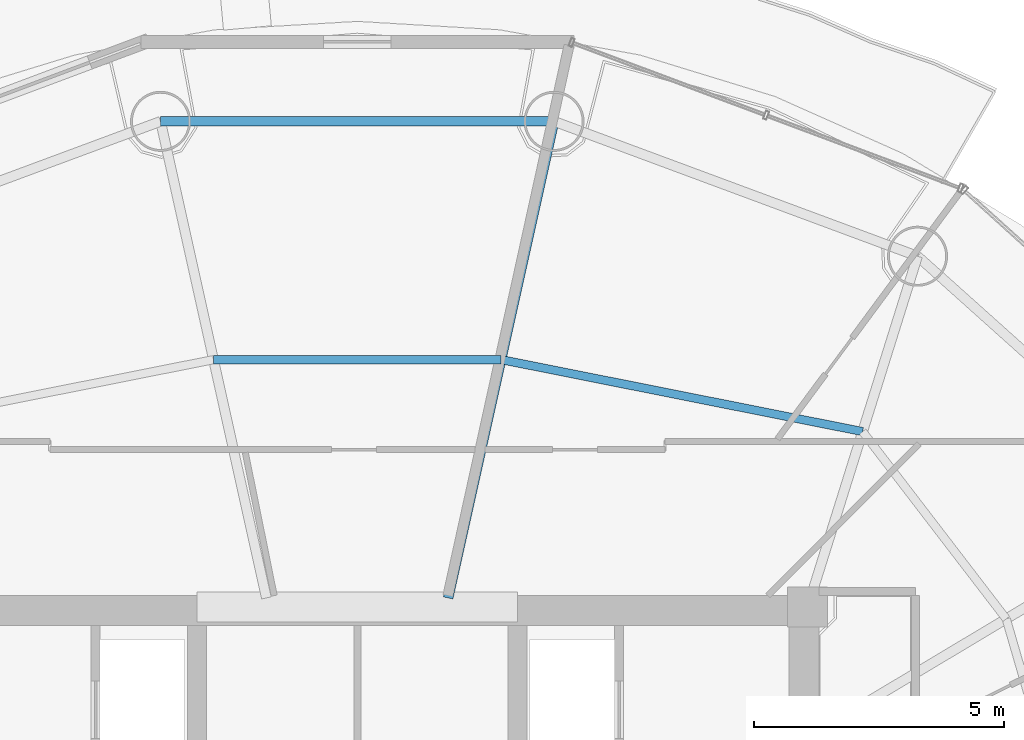
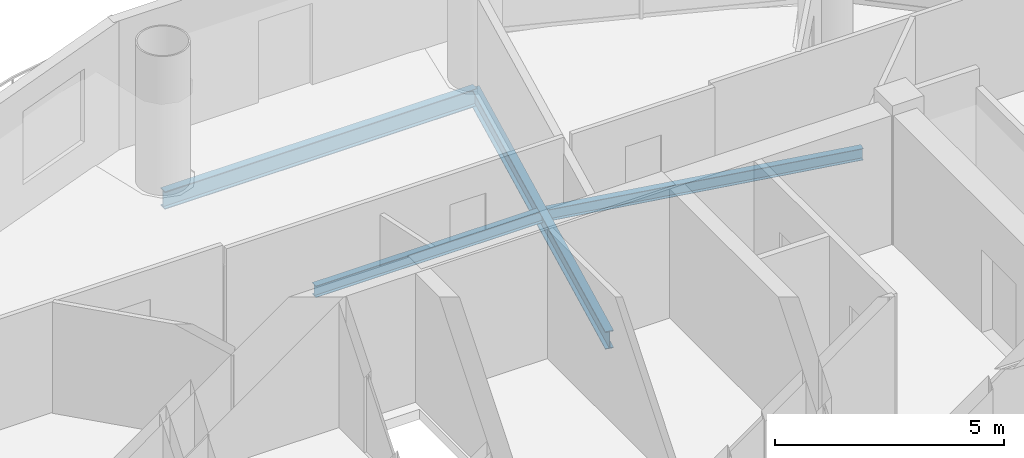
# One storey, part 16 of 26: 4 beams.
"""IFC4 building model written with IfcOpenShell, lengths in metres."""

import ifcopenshell
import ifcopenshell.guid

model = None  # the IFC model being written
_history = None  # IfcOwnerHistory: only IFC2X3 demands one
_inside = {}  # id of a spatial element -> (the spatial element, [elements in it])
_under = {}  # id of a project, library or spatial element -> (it, [spatial elements below it])
_declared = {}  # id of a project -> (the project, [libraries it declares])
_typed = {}  # id of a type object -> (the type object, [elements of that type])
_made_of = {}  # id of a material, layer set ... -> (it, [elements and type objects made of it])


def new_model(schema):
    """Start an empty IFC model of exactly this schema.

    Asked for "IFC4X3", IfcOpenShell would pick the latest addendum, in which some entities
    have other attributes; the version numbers below select the first issue.
    IFC2X3 requires an IfcOwnerHistory on every rooted entity: one is made here for all.
    """
    global model, _history
    if schema == "IFC4X3":
        model = ifcopenshell.file(schema_version=(4, 3, 0, 0))
    else:
        model = ifcopenshell.file(schema=schema)
    _inside.clear()
    _under.clear()
    _declared.clear()
    _typed.clear()
    _made_of.clear()
    _history = None
    if model.schema == "IFC2X3":
        org = make("IfcOrganization", Name="unknown")
        user = make(
            "IfcPersonAndOrganization",
            ThePerson=make("IfcPerson", FamilyName="unknown"),
            TheOrganization=org,
        )
        app = make(
            "IfcApplication",
            ApplicationDeveloper=org,
            Version="unknown",
            ApplicationFullName="unknown",
            ApplicationIdentifier="unknown",
        )
        _history = make(
            "IfcOwnerHistory",
            OwningUser=user,
            OwningApplication=app,
            ChangeAction="ADDED",
            CreationDate=0,
        )
    return model


def make(cls, **values):
    """One entity of the class cls with the attributes given. An attribute that is None is left unset."""
    return model.create_entity(
        cls, **{name: value for name, value in values.items() if value is not None}
    )


def rooted(cls, **values):
    """An entity with a GlobalId (a new one), such as an element, a storey or a relation."""
    return make(cls, GlobalId=ifcopenshell.guid.new(), OwnerHistory=_history, **values)


def si_unit(unit_type, name, prefix=None):
    """IfcSIUnit, for example si_unit("LENGTHUNIT", "METRE", prefix="MILLI")."""
    return make("IfcSIUnit", UnitType=unit_type, Prefix=prefix, Name=name)


def assignment(units):
    """IfcUnitAssignment: the units of a project."""
    return None if units is None else make("IfcUnitAssignment", Units=units)


def point(xyz):
    """IfcCartesianPoint."""
    return None if xyz is None else make("IfcCartesianPoint", Coordinates=xyz)


def direction(xyz):
    """IfcDirection."""
    return None if xyz is None else make("IfcDirection", DirectionRatios=xyz)


def frame(location, z_axis=None, x_axis=None):
    """IfcAxis2Placement3D, a coordinate frame: its origin and axes. An axis left out is left unset."""
    return make(
        "IfcAxis2Placement3D",
        Location=point(location),
        Axis=direction(z_axis),
        RefDirection=direction(x_axis),
    )


def frame_2d(location, x_axis=None):
    """IfcAxis2Placement2D, a coordinate frame in the plane: its origin and x axis."""
    return make(
        "IfcAxis2Placement2D", Location=point(location), RefDirection=direction(x_axis)
    )


def origin():
    """The frame at (0, 0, 0) with its axes left unset."""
    return frame((0.0, 0.0, 0.0))


def origin_2d():
    """The frame at (0, 0) in the plane with its x axis left unset."""
    return frame_2d((0.0, 0.0))


def place(relative_to, where):
    """IfcLocalPlacement: puts the frame where relative to a parent placement (None: the world)."""
    return make(
        "IfcLocalPlacement", PlacementRelTo=relative_to, RelativePlacement=where
    )


def context(
    kind, dimensions, precision=None, world=None, true_north=None, identifier=None
):
    """IfcGeometricRepresentationContext, for example the 3D "Model" context."""
    return make(
        "IfcGeometricRepresentationContext",
        ContextIdentifier=identifier,
        ContextType=kind,
        CoordinateSpaceDimension=dimensions,
        Precision=precision,
        WorldCoordinateSystem=world,
        TrueNorth=true_north,
    )


def subcontext(parent, identifier, kind, view, scale=None):
    """IfcGeometricRepresentationSubContext, for example "Body" below "Model"."""
    return make(
        "IfcGeometricRepresentationSubContext",
        ContextIdentifier=identifier,
        ContextType=kind,
        ParentContext=parent,
        TargetScale=scale,
        TargetView=view,
    )


def project(units=None, contexts=None):
    """IfcProject with its units and contexts."""
    return rooted(
        "IfcProject",
        Name="project",
        RepresentationContexts=contexts,
        UnitsInContext=assignment(units),
    )


def spatial(cls, under=None, at=None, **own):
    """A site, building, storey or space (cls), placed at a placement, below another one or the project."""
    s = rooted(cls, ObjectPlacement=at, **own)
    if under is not None:
        _under.setdefault(under.id(), (under, []))[1].append(s)
    return s


def profile(cls, at=None, kind="AREA", **sizes):
    """A parametric profile (cls). Its sizes go by their IFC names, for example OverallWidth=200.0."""
    return make(cls, ProfileType=kind, Position=at, **sizes)


def i_section(**sizes):
    """IfcIShapeProfileDef."""
    return profile("IfcIShapeProfileDef", **sizes)


def extrude(swept, where, along, depth):
    """IfcExtrudedAreaSolid: the profile swept, set in the frame where, extruded along a direction by depth."""
    return make(
        "IfcExtrudedAreaSolid",
        SweptArea=swept,
        Position=where,
        ExtrudedDirection=direction(along),
        Depth=depth,
    )


def shape(context_of_items, identifier, shape_type, items):
    """IfcShapeRepresentation: the items that make up one representation, for example the "Body"."""
    return make(
        "IfcShapeRepresentation",
        ContextOfItems=context_of_items,
        RepresentationIdentifier=identifier,
        RepresentationType=shape_type,
        Items=items,
    )


def material(Name=None, Category=None):
    """IfcMaterial."""
    return make("IfcMaterial", Name=Name, Category=Category)


def material_profile(
    of_material, cross_section, Name=None, Category=None, Priority=None
):
    """IfcMaterialProfile: a cross section and its material."""
    return make(
        "IfcMaterialProfile",
        Name=Name,
        Material=of_material,
        Profile=cross_section,
        Priority=Priority,
        Category=Category,
    )


def profile_set(profiles, Name=None, composite=None):
    """IfcMaterialProfileSet."""
    return make(
        "IfcMaterialProfileSet",
        Name=Name,
        MaterialProfiles=profiles,
        CompositeProfile=composite,
    )


def made_of(thing, what):
    """Note that an element or type object is made of a material, layer set ...; save() writes the relation."""
    if what is not None:
        _made_of.setdefault(what.id(), (what, []))[1].append(thing)
    return thing


def type_object(cls, material=None, **own):
    """A type object (cls), such as IfcWallType, which elements share."""
    return made_of(rooted(cls, **own), material)


def element(
    cls,
    number,
    at=None,
    inside=None,
    cuts=None,
    type_object=None,
    material=None,
    context=None,
    identifier="Body",
    shape_type=None,
    held_by="IfcProductDefinitionShape",
    body=None,
    shapes=None,
    **own,
):
    """One element of the class cls, such as IfcWall. Its Tag is "e" and its number.

    at: its placement. inside: the storey or other place that contains it. cuts: it is an
    opening in that element (IfcRelVoidsElement). A single representation is given by context,
    identifier, shape_type and body (its items); several are given by shapes. held_by: the class
    of the entity that holds the representations. save() writes the other relations.
    """
    e = rooted(cls, Tag="e%d" % number, ObjectPlacement=at, **own)
    if body is not None:
        shapes = [shape(context, identifier, shape_type, body)]
    if shapes is not None:
        e.Representation = make(held_by, Representations=shapes)
    if inside is not None:
        _inside.setdefault(inside.id(), (inside, []))[1].append(e)
    if cuts is not None:
        rooted(
            "IfcRelVoidsElement", RelatingBuildingElement=cuts, RelatedOpeningElement=e
        )
    if type_object is not None:
        _typed.setdefault(type_object.id(), (type_object, []))[1].append(e)
    return made_of(e, material)


def aggregate(whole, parts):
    """IfcRelAggregates: a whole, such as a stair, and the parts it consists of."""
    return rooted("IfcRelAggregates", RelatingObject=whole, RelatedObjects=parts)


def save(model, path):
    """Write the relations noted so far, then the file.

    IfcRelAggregates (storeys below a building ...), IfcRelContainedInSpatialStructure (elements
    in a storey), IfcRelDefinesByType, IfcRelAssociatesMaterial and IfcRelDeclares: one each for
    every whole, place, type object, material and project.
    """
    for whole, parts in _under.values():
        aggregate(whole, parts)
    for where, things in _inside.values():
        rooted(
            "IfcRelContainedInSpatialStructure",
            RelatedElements=things,
            RelatingStructure=where,
        )
    for kind, things in _typed.values():
        rooted("IfcRelDefinesByType", RelatedObjects=things, RelatingType=kind)
    for what, things in _made_of.values():
        rooted("IfcRelAssociatesMaterial", RelatedObjects=things, RelatingMaterial=what)
    for by, libraries in _declared.values():
        rooted("IfcRelDeclares", RelatingContext=by, RelatedDefinitions=libraries)
    model.write(path)


model = new_model("IFC4")

# Units and contexts
model_context = context("Model", 3, precision=1e-05, world=origin(), true_north=direction((-0.2419218956, 0.970295726276)))
body_context = subcontext(model_context, "Body", "Model", "MODEL_VIEW")
ifc_project = project(units=[si_unit("LENGTHUNIT", "METRE"), si_unit("AREAUNIT", "SQUARE_METRE"), si_unit("VOLUMEUNIT", "CUBIC_METRE"), si_unit("PLANEANGLEUNIT", "RADIAN"), si_unit("MASSUNIT", "GRAM", prefix="KILO")], contexts=[model_context])

# Site, building, storey
site_placement = place(None, origin())
site = spatial("IfcSite", under=ifc_project, at=site_placement, CompositionType="ELEMENT")
building_placement = place(site_placement, origin())
building = spatial("IfcBuilding", under=site, at=building_placement, Name="Cobrevalo Terracotta Tower", CompositionType="ELEMENT")
storey_placement = place(building_placement, frame((0.0, 0.0, 235.60009765625)))
storey = spatial("IfcBuildingStorey", under=building, at=storey_placement, Name="L62", CompositionType="ELEMENT", Elevation=235.60009765625)

# Beams
ifc_material = material(Name="Steel S355", Category="steel")
ifc_material_profile_1 = material_profile(ifc_material, i_section(OverallWidth=0.194091796875, OverallDepth=0.468994140625, WebThickness=0.011474609375, FlangeThickness=0.0205078125, at=origin_2d()), Name="W 460x106")
ifc_profile_set_1 = profile_set([ifc_material_profile_1], Name="Steel S355")
beam_type_1 = type_object("IfcBeamType", Name="Structural Beam W 460x106 (Steel S355)", PredefinedType="BEAM", material=ifc_profile_set_1)
beam_1_placement = place(storey_placement, frame((41.93115234375, 44.503173828125, -0.49951171875), z_axis=(-0.216782061165, -0.976220025382, 0.0), x_axis=(0.976220025382, -0.216782061165, 0.0)))
element("IfcBeam", 1, at=beam_1_placement, inside=storey, type_object=beam_type_1, Name="L62 radial floor girder 04", PredefinedType="BEAM", context=body_context, shape_type="SweptSolid", body=[
    extrude(i_section(OverallWidth=0.194091796875, OverallDepth=0.468994140625, WebThickness=0.011474609375, FlangeThickness=0.0205078125, at=origin_2d()), origin(), (0.0, 0.0, 1.0), 9.755126953125),
])
ifc_material_profile_2 = material_profile(ifc_material, i_section(OverallWidth=0.1650390625, OverallDepth=0.31005859375, WebThickness=0.005859375, FlangeThickness=0.009765625, at=origin_2d()), Name="W 310x38.7")
ifc_profile_set_2 = profile_set([ifc_material_profile_2], Name="Steel S355")
beam_type_2 = type_object("IfcBeamType", Name="Structural Joist W 310x38.7 (Steel S355)", PredefinedType="JOIST", material=ifc_profile_set_2)
beam_2_placement = place(storey_placement, frame((48.097412109375, 38.303955078125, -0.420166015625), z_axis=(-0.980762562197, 0.195204499418, 0.0), x_axis=(-0.195204499418, -0.980762562197, 0.0)))
element("IfcBeam", 2, at=beam_2_placement, inside=storey, type_object=beam_type_2, Name="L62 circumferential secondary floor joist 03", PredefinedType="JOIST", context=body_context, shape_type="SweptSolid", body=[
    extrude(i_section(OverallWidth=0.1650390625, OverallDepth=0.31005859375, WebThickness=0.005859375, FlangeThickness=0.009765625, at=origin_2d()), origin(), (0.0, 0.0, 1.0), 7.365234375),
])
beam_3_placement = place(storey_placement, frame((40.873779296875, 39.74169921875, -0.420166015625), z_axis=(-1.0, 0.0, 0.0), x_axis=(0.0, -1.0, 0.0)))
element("IfcBeam", 3, at=beam_3_placement, inside=storey, type_object=beam_type_2, Name="L62 circumferential secondary floor joist 04", PredefinedType="JOIST", context=body_context, shape_type="SweptSolid", body=[
    extrude(i_section(OverallWidth=0.1650390625, OverallDepth=0.31005859375, WebThickness=0.005859375, FlangeThickness=0.009765625, at=origin_2d()), origin(), (0.0, 0.0, 1.0), 5.74755859375),
])
ifc_material_profile_3 = material_profile(ifc_material, i_section(OverallWidth=0.194091796875, OverallDepth=0.468994140625, WebThickness=0.011474609375, FlangeThickness=0.0205078125, at=origin_2d()), Name="W 460x106")
ifc_profile_set_3 = profile_set([ifc_material_profile_3], Name="Steel S355")
beam_type_3 = type_object("IfcBeamType", Name="Structural Spandrel W 460x106 (Steel S355)", PredefinedType="SPANDREL", material=ifc_profile_set_3)
beam_4_placement = place(storey_placement, frame((41.93115234375, 44.503173828125, -0.49951171875), z_axis=(-1.0, 0.0, 0.0), x_axis=(0.0, -1.0, 0.0)))
element("IfcBeam", 4, at=beam_4_placement, inside=storey, type_object=beam_type_3, Name="L62 perimeter ring spandrel 04", PredefinedType="SPANDREL", context=body_context, shape_type="SweptSolid", body=[
    extrude(i_section(OverallWidth=0.194091796875, OverallDepth=0.468994140625, WebThickness=0.011474609375, FlangeThickness=0.0205078125, at=origin_2d()), origin(), (0.0, 0.0, 1.0), 7.8623046875),
])

save(model, "model.ifc")
